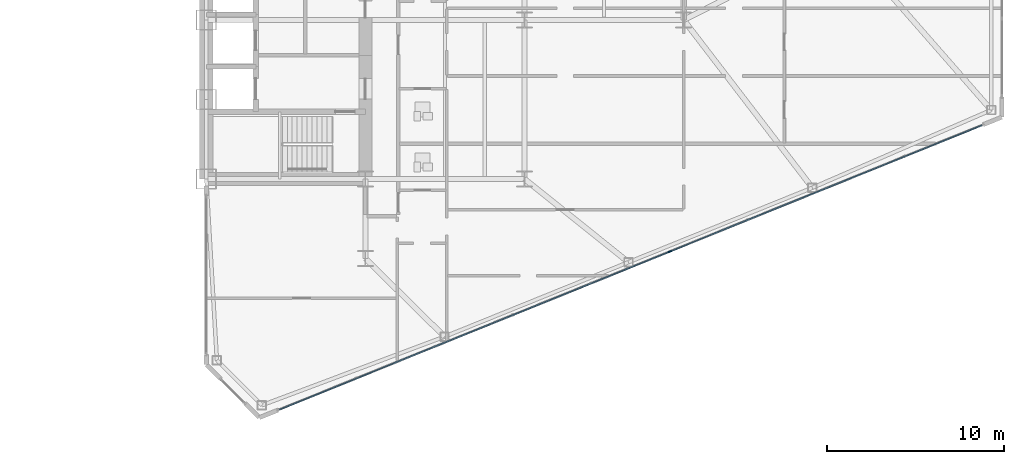
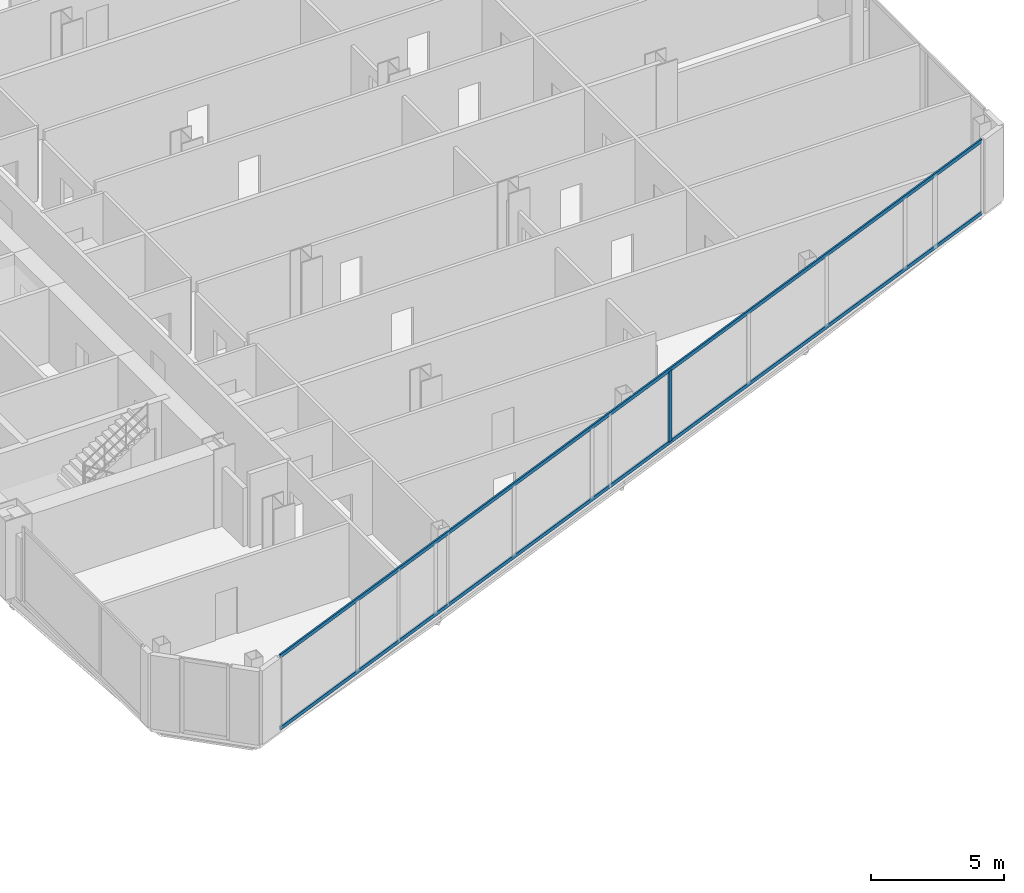
# One storey, part 10 of 25: 3 members, 1 element without a shape of its own.
"""IFC4 building model written with IfcOpenShell, lengths in metres."""

from ifc_helpers import new_model, si_unit, direction, frame, origin, origin_2d, place, context, subcontext, project, spatial, rectangle, extrude, source, transform, mapped, material, layer, layer_set, material_profile, profile_set, type_object, type_shapes, element, aggregate, save


model = new_model("IFC4")

# Units and contexts
model_context = context("Model", 3, precision=1e-05, world=origin(), true_north=direction((0.0, 1.0)))
body_context = subcontext(model_context, "Body", "Model", "MODEL_VIEW")
ifc_project = project(units=[si_unit("LENGTHUNIT", "METRE"), si_unit("AREAUNIT", "SQUARE_METRE"), si_unit("VOLUMEUNIT", "CUBIC_METRE"), si_unit("PLANEANGLEUNIT", "RADIAN"), si_unit("MASSUNIT", "GRAM", prefix="KILO")], contexts=[model_context])

# Site, building, storey
site_placement = place(None, origin())
site = spatial("IfcSite", under=ifc_project, at=site_placement, CompositionType="ELEMENT")
building_placement = place(site_placement, origin())
building = spatial("IfcBuilding", under=site, at=building_placement, Name="Seokmaru Belvedere", CompositionType="ELEMENT")
storey_placement = place(building_placement, frame((0.0, 0.0, 40.5)))
storey = spatial("IfcBuildingStorey", under=building, at=storey_placement, Name="L10", CompositionType="ELEMENT", Elevation=40.5)

# Curtain wall, members
ifc_material_1 = material(Name="Bronze Triple Insulating Glass", Category="glass")
ifc_layer = layer(ifc_material_1, 0.2099609375)
ifc_layer_set = layer_set([ifc_layer], Name="Bronze Triple Insulating Glass")
curtain_wall_type = type_object("IfcCurtainWallType", Name="Low-Rise Faceted Crystal Curtain Wall System CW-2", PredefinedType="NOTDEFINED", material=ifc_layer_set)
curtain_wall_placement = place(storey_placement, origin())
curtain_wall = element("IfcCurtainWall", 1, at=curtain_wall_placement, inside=storey, type_object=curtain_wall_type, Name="L10 Curtain Wall EF1", PredefinedType="NOTDEFINED")
ifc_material_2 = material(Name="Anodised Bronze Aluminium", Category="aluminium")
ifc_material_profile_1 = material_profile(ifc_material_2, rectangle(XDim=0.074951171875, YDim=0.2099609375, at=origin_2d()), Name="CW-M-75x210")
ifc_profile_set_1 = profile_set([ifc_material_profile_1], Name="Anodised Bronze Aluminium")
member_type_1 = type_object("IfcMemberType", Name="Bronze Unitised Mullion 75x210", PredefinedType="MULLION", material=ifc_profile_set_1)
shared_shape_1 = source(origin(), body_context, "Body", "SweptSolid", [
    extrude(rectangle(XDim=0.074951171875, YDim=0.2099609375, at=origin_2d()), origin(), (0.0, 0.0, 1.0), 3.239990234375),
])
type_shapes(member_type_1, [shared_shape_1])
member_1_placement = place(storey_placement, frame((53.71484375, -17.603515625, 0.070068359375), z_axis=(0.0, 0.0, 1.0), x_axis=(-0.375192321888, 0.926946989637, 0.0)))
member_1 = element("IfcMember", 2, at=member_1_placement, type_object=member_type_1, Name="CW:L10:EF1 Mullion 6", PredefinedType="MULLION", context=body_context, shape_type="MappedRepresentation", body=[
    mapped(shared_shape_1, transform((0.0, 0.0, 0.0), scale=1.0)),
])
ifc_material_profile_2 = material_profile(ifc_material_2, rectangle(XDim=0.070068359375, YDim=0.1650390625, at=origin_2d()), Name="CW-T-70x165")
ifc_profile_set_2 = profile_set([ifc_material_profile_2], Name="Anodised Bronze Aluminium")
member_type_2 = type_object("IfcMemberType", Name="Bronze Unitised Transom 70x165", PredefinedType="USERDEFINED", material=ifc_profile_set_2)
shared_shape_2 = source(origin(), body_context, "Body", "SweptSolid", [
    extrude(rectangle(XDim=0.070068359375, YDim=0.1650390625, at=origin_2d()), origin(), (0.0, 0.0, 1.0), 42.860107421875),
])
type_shapes(member_type_2, [shared_shape_2])
member_2_placement = place(storey_placement, frame((31.635498046875, -26.540283203125, 0.034912109375), z_axis=(0.926948605599, 0.375188329481, 0.0), x_axis=(-0.375188329481, 0.926948605599, 0.0)))
member_2 = element("IfcMember", 3, at=member_2_placement, type_object=member_type_2, Name="CW:L10:EF1 Continuous Transom 1", ObjectType="TRANSOM", PredefinedType="USERDEFINED", context=body_context, shape_type="MappedRepresentation", body=[
    mapped(shared_shape_2, transform((0.0, 0.0, 0.0), scale=1.0)),
])
member_3_placement = place(storey_placement, frame((31.635498046875, -26.540283203125, 3.344970703125), z_axis=(0.926948605599, 0.375188329481, 0.0), x_axis=(-0.375188329481, 0.926948605599, 0.0)))
member_3 = element("IfcMember", 4, at=member_3_placement, type_object=member_type_2, Name="CW:L10:EF1 Continuous Transom 2", ObjectType="TRANSOM", PredefinedType="USERDEFINED", context=body_context, shape_type="MappedRepresentation", body=[
    mapped(shared_shape_2, transform((0.0, 0.0, 0.0), scale=1.0)),
])
aggregate(curtain_wall, [member_1, member_2, member_3])

save(model, "model.ifc")
